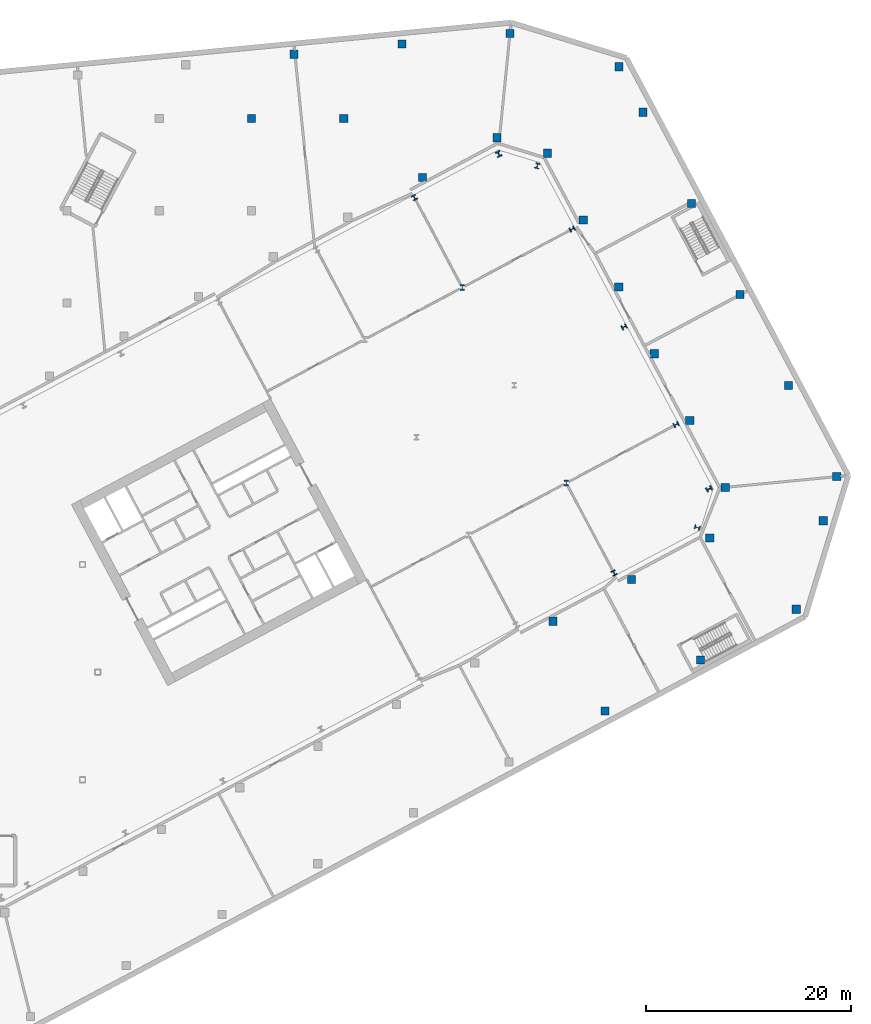
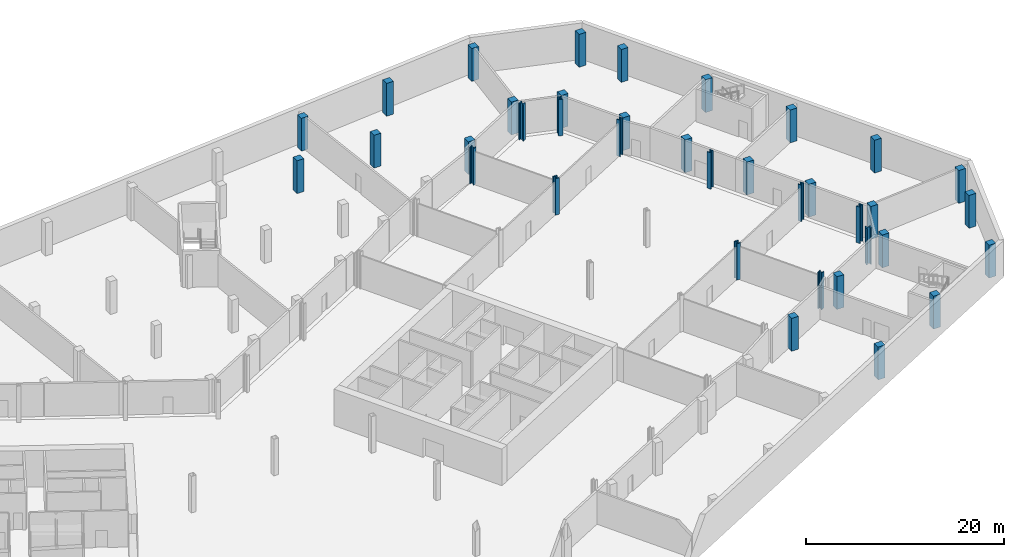
# One storey, part 6 of 27: 37 columns.
"""IFC4 building model written with IfcOpenShell, lengths in metres."""

from ifc_helpers import new_model, si_unit, direction, frame, origin, origin_2d, place, context, subcontext, project, spatial, rectangle, i_section, extrude, material, material_profile, profile_set, type_object, element, save


model = new_model("IFC4")

# Units and contexts
model_context = context("Model", 3, precision=1e-05, world=origin(), true_north=direction((0.0, 1.0)))
body_context = subcontext(model_context, "Body", "Model", "MODEL_VIEW")
ifc_project = project(units=[si_unit("LENGTHUNIT", "METRE"), si_unit("AREAUNIT", "SQUARE_METRE"), si_unit("VOLUMEUNIT", "CUBIC_METRE"), si_unit("PLANEANGLEUNIT", "RADIAN"), si_unit("MASSUNIT", "GRAM", prefix="KILO")], contexts=[model_context])

# Site, building, storey
site_placement = place(None, origin())
site = spatial("IfcSite", under=ifc_project, at=site_placement, CompositionType="ELEMENT")
building_placement = place(site_placement, origin())
building = spatial("IfcBuilding", under=site, at=building_placement, Name="Cormorant Relay Tower", CompositionType="ELEMENT")
storey_placement = place(building_placement, frame((0.0, 0.0, -4.5)))
storey = spatial("IfcBuildingStorey", under=building, at=storey_placement, Name="B1", CompositionType="ELEMENT", Elevation=-4.5)

# Columns
ifc_material_1 = material(Name="Concrete 50 MPa", Category="concrete")
ifc_material_profile_1 = material_profile(ifc_material_1, rectangle(XDim=0.800048828125, YDim=0.800048828125, at=origin_2d()), Name="RC 800x800")
ifc_profile_set_1 = profile_set([ifc_material_profile_1], Name="Concrete 50 MPa")
column_type_1 = type_object("IfcColumnType", Name="Base column 800 x 800", PredefinedType="COLUMN", material=ifc_profile_set_1)
for number, where, z_axis, x_axis, name in (
    (1, (61.462890625, -3.7880859375, 0.0), (0.0, 0.0, 1.0), (1.0, 0.0, 0.0), "Base column"),
    (2, (70.800048828125, 1.176025390625, 0.0), (0.0, 0.0, 1.0), (1.0, 0.0, 0.0), "Base column"),
    (3, (56.4169921875, 4.968017578125, 0.0), (0.0, 0.0, 1.0), (1.0, 0.0, 0.0), "Base column"),
    (4, (80.136962890625, 6.14111328125, 0.0), (0.0, 0.0, 1.0), (1.0, 0.0, 0.0), "Base column"),
    (5, (64.05908203125, 9.031005859375, 0.0), (0.0, 0.0, 1.0), (1.0, 0.0, 0.0), "Base column"),
    (6, (71.700927734375, 13.093994140625, 0.0), (0.0, 0.0, 1.0), (1.0, 0.0, 0.0), "Base column"),
    (7, (82.77197265625, 14.760986328125, 0.0), (0.0, 0.0, 1.0), (1.0, 0.0, 0.0), "Base column"),
    (8, (73.2080078125, 18.02294921875, 0.0), (0.0, 0.0, 1.0), (1.0, 0.0, 0.0), "Base column"),
    (9, (84.090087890625, 19.071044921875, 0.0), (0.0, 0.0, 1.0), (1.0, 0.0, 0.0), "Base column"),
    (10, (69.741943359375, 24.541015625, 0.0), (0.0, 0.0, 1.0), (1.0, 0.0, 0.0), "Base column"),
    (11, (79.365966796875, 27.955078125, 0.0), (0.0, 0.0, 1.0), (1.0, 0.0, 0.0), "Base column"),
    (12, (66.27587890625, 31.05908203125, 0.0), (0.0, 0.0, 1.0), (1.0, 0.0, 0.0), "Base column"),
    (13, (74.64208984375, 36.839111328125, 0.0), (0.0, 0.0, 1.0), (1.0, 0.0, 0.0), "Base column"),
    (14, (62.81103515625, 37.576904296875, 0.0), (0.0, 0.0, 1.0), (1.0, 0.0, 0.0), "Base column"),
    (15, (59.344970703125, 44.095947265625, 0.0), (0.0, 0.0, 1.0), (1.0, 0.0, 0.0), "Base column"),
    (16, (69.91796875, 45.722900390625, 0.0), (0.0, 0.0, 1.0), (1.0, 0.0, 0.0), "Base column"),
    (17, (43.672119140625, 48.25, 0.0), (0.0, 0.0, 1.0), (1.0, 0.0, 0.0), "Base column"),
    (18, (55.87890625, 50.614013671875, 0.0), (0.0, 0.0, 1.0), (1.0, 0.0, 0.0), "Base column"),
    (19, (50.949951171875, 52.12109375, 0.0), (0.0, 0.0, 1.0), (1.0, 0.0, 0.0), "Base column"),
    (20, (27.0, 54.0, 0.0), (0.0, 0.0, 1.0), (1.0, 0.0, 0.0), "Base column"),
    (21, (36.0, 54.0, 0.0), (0.0, 0.0, 1.0), (1.0, 0.0, 0.0), "Base column"),
    (22, (65.195068359375, 54.60693359375, 0.0), (0.0, 0.0, 1.0), (1.0, 0.0, 0.0), "Base column"),
    (23, (62.8330078125, 59.049072265625, 0.0), (0.0, 0.0, 1.0), (1.0, 0.0, 0.0), "Base column"),
    (24, (31.1259765625, 60.26611328125, 0.0), (0.0, 0.0, 1.0), (1.0, 0.0, 0.0), "Base column"),
    (25, (41.6669921875, 61.281982421875, 0.0), (0.0, 0.0, 1.0), (1.0, 0.0, 0.0), "Base column"),
    (26, (52.2080078125, 62.298095703125, 0.0), (0.0, 0.0, 1.0), (1.0, 0.0, 0.0), "Base column"),
):
    element("IfcColumn", number, at=place(storey_placement, frame(where, z_axis=z_axis, x_axis=x_axis)), inside=storey, type_object=column_type_1, Name=name, PredefinedType="COLUMN", context=body_context, shape_type="SweptSolid", body=[
        extrude(rectangle(XDim=0.800048828125, YDim=0.800048828125, at=origin_2d()), origin(), (0.0, 0.0, 1.0), 4.050048828125),
    ])
ifc_material_2 = material(Name="Steel ASTM A992 (Fy 345 MPa)", Category="steel")
ifc_material_profile_2 = material_profile(ifc_material_2, i_section(OverallWidth=0.45458984375, OverallDepth=0.569091796875, WebThickness=0.077880859375, FlangeThickness=0.124755859375, FilletRadius=0.015380859375, at=origin_2d()), Name="W360x1086")
ifc_profile_set_2 = profile_set([ifc_material_profile_2], Name="Steel ASTM A992 (Fy 345 MPa)")
column_type_2 = type_object("IfcColumnType", Name="Column W360x1086", PredefinedType="COLUMN", material=ifc_profile_set_2)
for number, where, z_axis, x_axis, name in (
    (27, (70.47412109375, 14.10595703125, 0.0), (0.0, 0.0, 1.0), (0.292371704723, 0.956304755963, 0.0), "Column B1-026"),
    (28, (71.625, 17.87109375, 0.0), (0.0, 0.0, 1.0), (-0.469471562786, 0.882947592859, 0.0), "Column B1-028"),
    (29, (57.694091796875, 18.445068359375, 0.0), (0.0, 0.0, 1.0), (1.0, 0.0, 0.0), "Column B1-029"),
    (30, (47.552978515625, 37.51611328125, 0.0), (0.0, 0.0, 1.0), (1.0, 0.0, 0.0), "Column B1-045"),
    (31, (54.866943359375, 49.385986328125, 0.0), (0.0, 0.0, 1.0), (-0.956304755963, 0.292371704723, 0.0), "Column B1-053"),
    (32, (51.10302734375, 50.537109375, 0.0), (0.0, 0.0, 1.0), (-0.882947592859, -0.469471562786, 0.0), "Column B1-054"),
):
    element("IfcColumn", number, at=place(storey_placement, frame(where, z_axis=z_axis, x_axis=x_axis)), inside=storey, type_object=column_type_2, Name=name, PredefinedType="COLUMN", context=body_context, shape_type="SweptSolid", body=[
        extrude(i_section(OverallWidth=0.45458984375, OverallDepth=0.569091796875, WebThickness=0.077880859375, FlangeThickness=0.124755859375, FilletRadius=0.015380859375, at=origin_2d()), origin(), (0.0, 0.0, 1.0), 4.5),
    ])
ifc_material_3 = material(Name="Steel ASTM A992 (Fy 345 MPa)", Category="steel")
ifc_material_profile_3 = material_profile(ifc_material_3, i_section(OverallWidth=0.43701171875, OverallDepth=0.51318359375, WebThickness=0.060546875, FlangeThickness=0.096923828125, FilletRadius=0.015380859375, at=origin_2d()), Name="W360x818")
ifc_profile_set_3 = profile_set([ifc_material_profile_3], Name="Steel ASTM A992 (Fy 345 MPa)")
column_type_3 = type_object("IfcColumnType", Name="Column W360x818", PredefinedType="COLUMN", material=ifc_profile_set_3)
for number, where, z_axis, x_axis, name in (
    (33, (62.361083984375, 9.66796875, 0.0), (0.0, 0.0, 1.0), (0.882947592859, 0.469471562786, 0.0), "Column B1-020"),
    (34, (68.4130859375, 24.14404296875, 0.0), (0.0, 0.0, 1.0), (-0.469471562786, 0.882947592859, 0.0), "Column B1-033"),
    (35, (63.343017578125, 33.679931640625, 0.0), (0.0, 0.0, 1.0), (-0.469471562786, 0.882947592859, 0.0), "Column B1-042"),
    (36, (58.27197265625, 43.216064453125, 0.0), (0.0, 0.0, 1.0), (-0.469471562786, 0.882947592859, 0.0), "Column B1-051"),
    (37, (42.886962890625, 46.29296875, 0.0), (0.0, 0.0, 1.0), (-0.882947592859, -0.469471562786, 0.0), "Column B1-052"),
):
    element("IfcColumn", number, at=place(storey_placement, frame(where, z_axis=z_axis, x_axis=x_axis)), inside=storey, type_object=column_type_3, Name=name, PredefinedType="COLUMN", context=body_context, shape_type="SweptSolid", body=[
        extrude(i_section(OverallWidth=0.43701171875, OverallDepth=0.51318359375, WebThickness=0.060546875, FlangeThickness=0.096923828125, FilletRadius=0.015380859375, at=origin_2d()), origin(), (0.0, 0.0, 1.0), 4.5),
    ])

save(model, "model.ifc")
